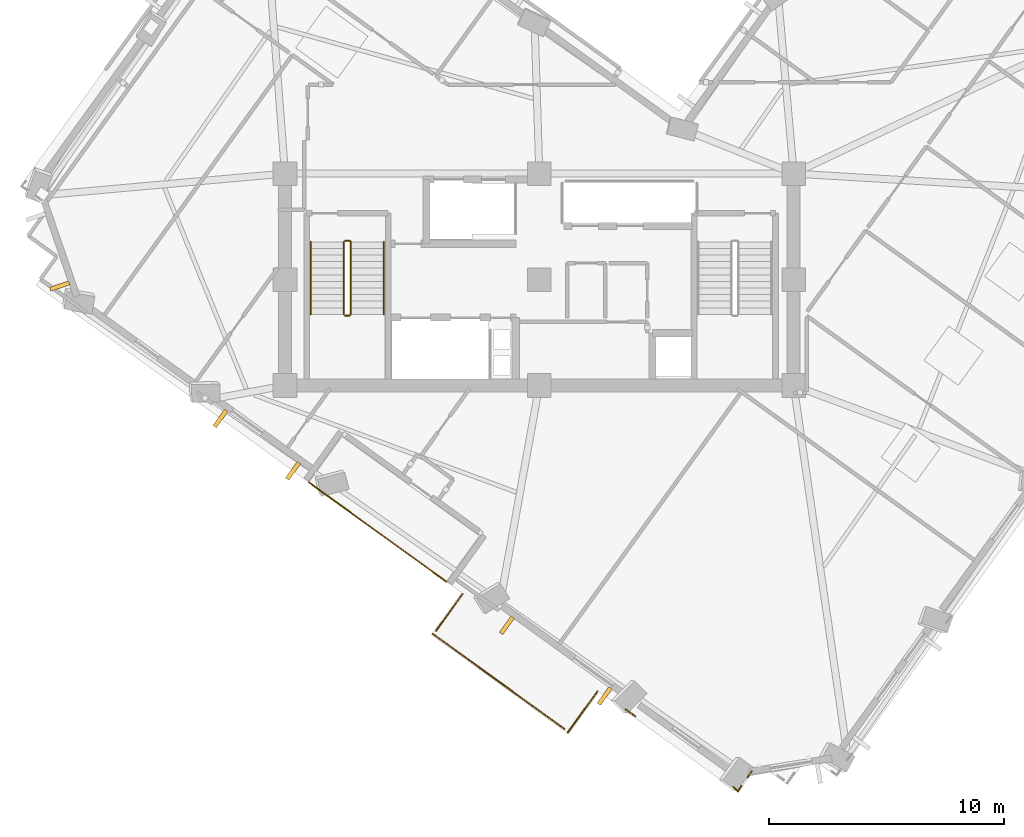
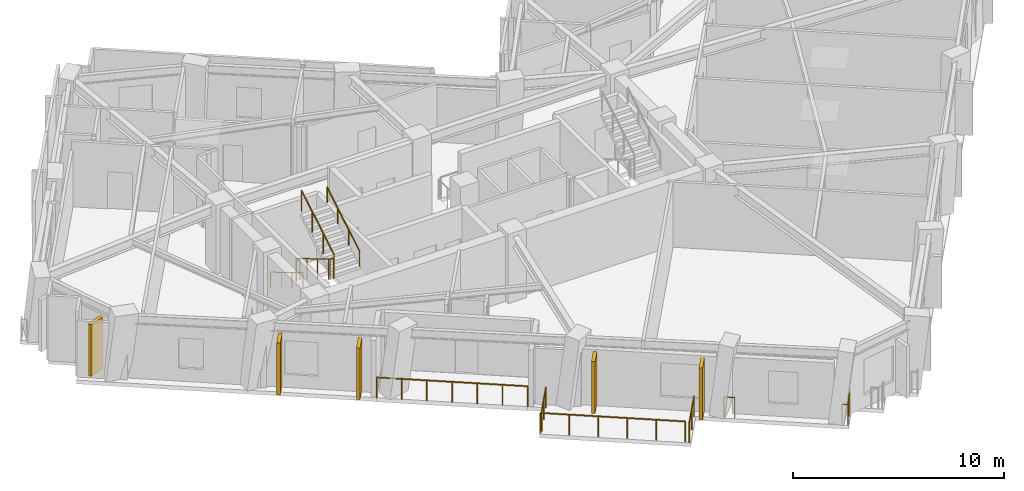
# One storey, part 9 of 13: 13 railings, 5 shading devices.
"""IFC4 building model written with IfcOpenShell, lengths in metres."""

import ifcopenshell
import ifcopenshell.guid

model = None  # the IFC model being written
_history = None  # IfcOwnerHistory: only IFC2X3 demands one
_inside = {}  # id of a spatial element -> (the spatial element, [elements in it])
_under = {}  # id of a project, library or spatial element -> (it, [spatial elements below it])
_declared = {}  # id of a project -> (the project, [libraries it declares])
_typed = {}  # id of a type object -> (the type object, [elements of that type])
_made_of = {}  # id of a material, layer set ... -> (it, [elements and type objects made of it])


def new_model(schema):
    """Start an empty IFC model of exactly this schema.

    Asked for "IFC4X3", IfcOpenShell would pick the latest addendum, in which some entities
    have other attributes; the version numbers below select the first issue.
    IFC2X3 requires an IfcOwnerHistory on every rooted entity: one is made here for all.
    """
    global model, _history
    if schema == "IFC4X3":
        model = ifcopenshell.file(schema_version=(4, 3, 0, 0))
    else:
        model = ifcopenshell.file(schema=schema)
    _inside.clear()
    _under.clear()
    _declared.clear()
    _typed.clear()
    _made_of.clear()
    _history = None
    if model.schema == "IFC2X3":
        org = make("IfcOrganization", Name="unknown")
        user = make(
            "IfcPersonAndOrganization",
            ThePerson=make("IfcPerson", FamilyName="unknown"),
            TheOrganization=org,
        )
        app = make(
            "IfcApplication",
            ApplicationDeveloper=org,
            Version="unknown",
            ApplicationFullName="unknown",
            ApplicationIdentifier="unknown",
        )
        _history = make(
            "IfcOwnerHistory",
            OwningUser=user,
            OwningApplication=app,
            ChangeAction="ADDED",
            CreationDate=0,
        )
    return model


def make(cls, **values):
    """One entity of the class cls with the attributes given. An attribute that is None is left unset."""
    return model.create_entity(
        cls, **{name: value for name, value in values.items() if value is not None}
    )


def rooted(cls, **values):
    """An entity with a GlobalId (a new one), such as an element, a storey or a relation."""
    return make(cls, GlobalId=ifcopenshell.guid.new(), OwnerHistory=_history, **values)


def si_unit(unit_type, name, prefix=None):
    """IfcSIUnit, for example si_unit("LENGTHUNIT", "METRE", prefix="MILLI")."""
    return make("IfcSIUnit", UnitType=unit_type, Prefix=prefix, Name=name)


def assignment(units):
    """IfcUnitAssignment: the units of a project."""
    return None if units is None else make("IfcUnitAssignment", Units=units)


def point(xyz):
    """IfcCartesianPoint."""
    return None if xyz is None else make("IfcCartesianPoint", Coordinates=xyz)


def direction(xyz):
    """IfcDirection."""
    return None if xyz is None else make("IfcDirection", DirectionRatios=xyz)


def frame(location, z_axis=None, x_axis=None):
    """IfcAxis2Placement3D, a coordinate frame: its origin and axes. An axis left out is left unset."""
    return make(
        "IfcAxis2Placement3D",
        Location=point(location),
        Axis=direction(z_axis),
        RefDirection=direction(x_axis),
    )


def frame_2d(location, x_axis=None):
    """IfcAxis2Placement2D, a coordinate frame in the plane: its origin and x axis."""
    return make(
        "IfcAxis2Placement2D", Location=point(location), RefDirection=direction(x_axis)
    )


def origin():
    """The frame at (0, 0, 0) with its axes left unset."""
    return frame((0.0, 0.0, 0.0))


def origin_2d():
    """The frame at (0, 0) in the plane with its x axis left unset."""
    return frame_2d((0.0, 0.0))


def place(relative_to, where):
    """IfcLocalPlacement: puts the frame where relative to a parent placement (None: the world)."""
    return make(
        "IfcLocalPlacement", PlacementRelTo=relative_to, RelativePlacement=where
    )


def context(
    kind, dimensions, precision=None, world=None, true_north=None, identifier=None
):
    """IfcGeometricRepresentationContext, for example the 3D "Model" context."""
    return make(
        "IfcGeometricRepresentationContext",
        ContextIdentifier=identifier,
        ContextType=kind,
        CoordinateSpaceDimension=dimensions,
        Precision=precision,
        WorldCoordinateSystem=world,
        TrueNorth=true_north,
    )


def subcontext(parent, identifier, kind, view, scale=None):
    """IfcGeometricRepresentationSubContext, for example "Body" below "Model"."""
    return make(
        "IfcGeometricRepresentationSubContext",
        ContextIdentifier=identifier,
        ContextType=kind,
        ParentContext=parent,
        TargetScale=scale,
        TargetView=view,
    )


def project(units=None, contexts=None):
    """IfcProject with its units and contexts."""
    return rooted(
        "IfcProject",
        Name="project",
        RepresentationContexts=contexts,
        UnitsInContext=assignment(units),
    )


def spatial(cls, under=None, at=None, **own):
    """A site, building, storey or space (cls), placed at a placement, below another one or the project."""
    s = rooted(cls, ObjectPlacement=at, **own)
    if under is not None:
        _under.setdefault(under.id(), (under, []))[1].append(s)
    return s


def profile(cls, at=None, kind="AREA", **sizes):
    """A parametric profile (cls). Its sizes go by their IFC names, for example OverallWidth=200.0."""
    return make(cls, ProfileType=kind, Position=at, **sizes)


def rectangle(**sizes):
    """IfcRectangleProfileDef."""
    return profile("IfcRectangleProfileDef", **sizes)


def circle(**sizes):
    """IfcCircleProfileDef."""
    return profile("IfcCircleProfileDef", **sizes)


def extrude(swept, where, along, depth):
    """IfcExtrudedAreaSolid: the profile swept, set in the frame where, extruded along a direction by depth."""
    return make(
        "IfcExtrudedAreaSolid",
        SweptArea=swept,
        Position=where,
        ExtrudedDirection=direction(along),
        Depth=depth,
    )


def shape(context_of_items, identifier, shape_type, items):
    """IfcShapeRepresentation: the items that make up one representation, for example the "Body"."""
    return make(
        "IfcShapeRepresentation",
        ContextOfItems=context_of_items,
        RepresentationIdentifier=identifier,
        RepresentationType=shape_type,
        Items=items,
    )


def material(Name=None, Category=None):
    """IfcMaterial."""
    return make("IfcMaterial", Name=Name, Category=Category)


def layer(
    of_material, thickness, ventilated=None, Name=None, Category=None, Priority=None
):
    """IfcMaterialLayer: one layer of a wall or slab, of a material (None: an air gap)."""
    return make(
        "IfcMaterialLayer",
        Material=of_material,
        LayerThickness=thickness,
        IsVentilated=ventilated,
        Name=Name,
        Category=Category,
        Priority=Priority,
    )


def layer_set(layers, Name=None):
    """IfcMaterialLayerSet."""
    return make("IfcMaterialLayerSet", MaterialLayers=layers, LayerSetName=Name)


def made_of(thing, what):
    """Note that an element or type object is made of a material, layer set ...; save() writes the relation."""
    if what is not None:
        _made_of.setdefault(what.id(), (what, []))[1].append(thing)
    return thing


def type_object(cls, material=None, **own):
    """A type object (cls), such as IfcWallType, which elements share."""
    return made_of(rooted(cls, **own), material)


def element(
    cls,
    number,
    at=None,
    inside=None,
    cuts=None,
    type_object=None,
    material=None,
    context=None,
    identifier="Body",
    shape_type=None,
    held_by="IfcProductDefinitionShape",
    body=None,
    shapes=None,
    **own,
):
    """One element of the class cls, such as IfcWall. Its Tag is "e" and its number.

    at: its placement. inside: the storey or other place that contains it. cuts: it is an
    opening in that element (IfcRelVoidsElement). A single representation is given by context,
    identifier, shape_type and body (its items); several are given by shapes. held_by: the class
    of the entity that holds the representations. save() writes the other relations.
    """
    e = rooted(cls, Tag="e%d" % number, ObjectPlacement=at, **own)
    if body is not None:
        shapes = [shape(context, identifier, shape_type, body)]
    if shapes is not None:
        e.Representation = make(held_by, Representations=shapes)
    if inside is not None:
        _inside.setdefault(inside.id(), (inside, []))[1].append(e)
    if cuts is not None:
        rooted(
            "IfcRelVoidsElement", RelatingBuildingElement=cuts, RelatedOpeningElement=e
        )
    if type_object is not None:
        _typed.setdefault(type_object.id(), (type_object, []))[1].append(e)
    return made_of(e, material)


def aggregate(whole, parts):
    """IfcRelAggregates: a whole, such as a stair, and the parts it consists of."""
    return rooted("IfcRelAggregates", RelatingObject=whole, RelatedObjects=parts)


def save(model, path):
    """Write the relations noted so far, then the file.

    IfcRelAggregates (storeys below a building ...), IfcRelContainedInSpatialStructure (elements
    in a storey), IfcRelDefinesByType, IfcRelAssociatesMaterial and IfcRelDeclares: one each for
    every whole, place, type object, material and project.
    """
    for whole, parts in _under.values():
        aggregate(whole, parts)
    for where, things in _inside.values():
        rooted(
            "IfcRelContainedInSpatialStructure",
            RelatedElements=things,
            RelatingStructure=where,
        )
    for kind, things in _typed.values():
        rooted("IfcRelDefinesByType", RelatedObjects=things, RelatingType=kind)
    for what, things in _made_of.values():
        rooted("IfcRelAssociatesMaterial", RelatedObjects=things, RelatingMaterial=what)
    for by, libraries in _declared.values():
        rooted("IfcRelDeclares", RelatingContext=by, RelatedDefinitions=libraries)
    model.write(path)


model = new_model("IFC4")

# Units and contexts
model_context = context("Model", 3, precision=1e-05, world=origin(), true_north=direction((0.0, 1.0)))
body_context = subcontext(model_context, "Body", "Model", "MODEL_VIEW")
ifc_project = project(units=[si_unit("LENGTHUNIT", "METRE"), si_unit("AREAUNIT", "SQUARE_METRE"), si_unit("VOLUMEUNIT", "CUBIC_METRE"), si_unit("PLANEANGLEUNIT", "RADIAN"), si_unit("MASSUNIT", "GRAM", prefix="KILO")], contexts=[model_context])

# Site, building, storey
site_placement = place(None, origin())
site = spatial("IfcSite", under=ifc_project, at=site_placement, CompositionType="ELEMENT")
building_placement = place(site_placement, origin())
building = spatial("IfcBuilding", under=site, at=building_placement, Name="Gaonmaruhae Medical Tower", CompositionType="ELEMENT")
storey_placement = place(building_placement, frame((0.0, 0.0, 255.199951171875)))
storey = spatial("IfcBuildingStorey", under=building, at=storey_placement, Name="L61", CompositionType="ELEMENT", Elevation=255.199951171875)

# Railings
ifc_material_1 = material(Name="Stainless steel 316L and laminated safety glass", Category="steel")
ifc_layer = layer(ifc_material_1, 0.080078125)
ifc_layer_set = layer_set([ifc_layer], Name="Stainless steel 316L and laminated safety glass")
railing_type_1 = type_object("IfcRailingType", Name="GD-120 Outdoor Terrace Safety Glass & Steel Balustrade", PredefinedType="BALUSTRADE", material=ifc_layer_set)
railing_1_placement = place(storey_placement, frame((15.012939453125, 3.685791015625, 0.0)))
element("IfcRailing", 1, at=railing_1_placement, inside=storey, type_object=railing_type_1, Name="L61 Terrace Safety Guard RL-SLB-L61-TER-04", PredefinedType="BALUSTRADE", context=body_context, shape_type="SweptSolid", body=[
    extrude(circle(Radius=0.02392578125, at=origin_2d()), frame((0.0, 0.0, 1.17578125), z_axis=(0.810550452524, -0.585668817604, 0.0), x_axis=(0.585668817604, 0.810550452524, 0.0)), (0.0, 0.0, 1.0), 7.199951171875),
    extrude(circle(Radius=0.02099609375, at=origin_2d()), origin(), (0.0, 0.0, 1.0), 1.15185546875),
    extrude(circle(Radius=0.02099609375, at=origin_2d()), frame((0.97265625, -0.702880859375, 0.0)), (0.0, 0.0, 1.0), 1.15185546875),
    extrude(circle(Radius=0.02099609375, at=origin_2d()), frame((1.9453125, -1.405517578125, 0.0)), (0.0, 0.0, 1.0), 1.15185546875),
    extrude(circle(Radius=0.02099609375, at=origin_2d()), frame((2.91796875, -2.1083984375, 0.0)), (0.0, 0.0, 1.0), 1.15185546875),
    extrude(circle(Radius=0.02099609375, at=origin_2d()), frame((3.890625, -2.811279296875, 0.0)), (0.0, 0.0, 1.0), 1.15185546875),
    extrude(circle(Radius=0.02099609375, at=origin_2d()), frame((4.86328125, -3.513916015625, 0.0)), (0.0, 0.0, 1.0), 1.15185546875),
    extrude(circle(Radius=0.02099609375, at=origin_2d()), frame((5.8359375, -4.216796875, 0.0)), (0.0, 0.0, 1.0), 1.15185546875),
])
railing_2_placement = place(storey_placement, frame((33.826171875, -8.5751953125, 0.0)))
element("IfcRailing", 2, at=railing_2_placement, inside=storey, type_object=railing_type_1, Name="L61 Perimeter Slab Edge Safety Balustrade 12", PredefinedType="BALUSTRADE", context=body_context, shape_type="SweptSolid", body=[
    extrude(circle(Radius=0.02392578125, at=origin_2d()), frame((0.0, 0.0, 1.17578125), z_axis=(-0.585681465352, -0.810541313656, 0.0), x_axis=(0.810541313656, -0.585681465352, 0.0)), (0.0, 0.0, 1.0), 0.326904296875),
    extrude(circle(Radius=0.02099609375, at=origin_2d()), origin(), (0.0, 0.0, 1.0), 1.15185546875),
    extrude(circle(Radius=0.02099609375, at=origin_2d()), frame((-0.19140625, -0.264892578125, 0.0)), (0.0, 0.0, 1.0), 1.15185546875),
])
railing_3_placement = place(storey_placement, frame((28.88232421875, -6.249267578125, 0.0)))
element("IfcRailing", 3, at=railing_3_placement, inside=storey, type_object=railing_type_1, Name="L61 Perimeter Slab Edge Safety Balustrade 13", PredefinedType="BALUSTRADE", context=body_context, shape_type="SweptSolid", body=[
    extrude(circle(Radius=0.02392578125, at=origin_2d()), frame((0.0, 0.0, 1.17578125), z_axis=(-0.810492041618, 0.585749648291, 0.0), x_axis=(-0.585749648291, -0.810492041618, 0.0)), (0.0, 0.0, 1.0), 0.51611328125),
    extrude(circle(Radius=0.02099609375, at=origin_2d()), origin(), (0.0, 0.0, 1.0), 1.15185546875),
    extrude(circle(Radius=0.02099609375, at=origin_2d()), frame((-0.418212890625, 0.30224609375, 0.0)), (0.0, 0.0, 1.0), 1.15185546875),
])
railing_4_placement = place(storey_placement, frame((27.264892578125, -5.19140625, 0.0)))
element("IfcRailing", 4, at=railing_4_placement, inside=storey, type_object=railing_type_1, Name="L61 Perimeter Slab Edge Safety Balustrade 14", PredefinedType="BALUSTRADE", context=body_context, shape_type="SweptSolid", body=[
    extrude(circle(Radius=0.02392578125, at=origin_2d()), frame((0.0, 0.0, 1.17578125), z_axis=(-0.585655597386, -0.810560004719, 0.0), x_axis=(0.810560004719, -0.585655597386, 0.0)), (0.0, 0.0, 1.0), 2.16015625),
    extrude(circle(Radius=0.02099609375, at=origin_2d()), origin(), (0.0, 0.0, 1.0), 1.15185546875),
    extrude(circle(Radius=0.02099609375, at=origin_2d()), frame((-0.632568359375, -0.87548828125, 0.0)), (0.0, 0.0, 1.0), 1.15185546875),
    extrude(circle(Radius=0.02099609375, at=origin_2d()), frame((-1.26513671875, -1.7509765625, 0.0)), (0.0, 0.0, 1.0), 1.15185546875),
])
railing_5_placement = place(storey_placement, frame((25.865966796875, -6.783935546875, 0.0)))
element("IfcRailing", 5, at=railing_5_placement, inside=storey, type_object=railing_type_1, Name="L61 Perimeter Slab Edge Safety Balustrade 15", PredefinedType="BALUSTRADE", context=body_context, shape_type="SweptSolid", body=[
    extrude(circle(Radius=0.02392578125, at=origin_2d()), frame((0.0, 0.0, 1.17578125), z_axis=(-0.810555275202, 0.585662143084, 0.0), x_axis=(-0.585662143084, -0.810555275202, 0.0)), (0.0, 0.0, 1.0), 6.90869140625),
    extrude(circle(Radius=0.02099609375, at=origin_2d()), origin(), (0.0, 0.0, 1.0), 1.15185546875),
    extrude(circle(Radius=0.02099609375, at=origin_2d()), frame((-1.119873046875, 0.809326171875, 0.0)), (0.0, 0.0, 1.0), 1.15185546875),
    extrude(circle(Radius=0.02099609375, at=origin_2d()), frame((-2.239990234375, 1.618408203125, 0.0)), (0.0, 0.0, 1.0), 1.15185546875),
    extrude(circle(Radius=0.02099609375, at=origin_2d()), frame((-3.35986328125, 2.427734375, 0.0)), (0.0, 0.0, 1.0), 1.15185546875),
    extrude(circle(Radius=0.02099609375, at=origin_2d()), frame((-4.47998046875, 3.23681640625, 0.0)), (0.0, 0.0, 1.0), 1.15185546875),
    extrude(circle(Radius=0.02099609375, at=origin_2d()), frame((-5.599853515625, 4.046142578125, 0.0)), (0.0, 0.0, 1.0), 1.15185546875),
])
railing_6_placement = place(storey_placement, frame((20.4169921875, -2.6142578125, 0.0)))
element("IfcRailing", 6, at=railing_6_placement, inside=storey, type_object=railing_type_1, Name="L61 Perimeter Slab Edge Safety Balustrade 16", PredefinedType="BALUSTRADE", context=body_context, shape_type="SweptSolid", body=[
    extrude(circle(Radius=0.02392578125, at=origin_2d()), frame((0.0, 0.0, 1.17578125), z_axis=(0.585592604876, 0.810605515103, 0.0), x_axis=(-0.810605515103, 0.585592604876, 0.0)), (0.0, 0.0, 1.0), 1.921630859375),
    extrude(circle(Radius=0.02099609375, at=origin_2d()), origin(), (0.0, 0.0, 1.0), 1.15185546875),
    extrude(circle(Radius=0.02099609375, at=origin_2d()), frame((0.5625, 0.77880859375, 0.0)), (0.0, 0.0, 1.0), 1.15185546875),
    extrude(circle(Radius=0.02099609375, at=origin_2d()), frame((1.125244140625, 1.5576171875, 0.0)), (0.0, 0.0, 1.0), 1.15185546875),
])
railing_7_placement = place(storey_placement, frame((33.381103515625, -9.19140625, 0.0)))
element("IfcRailing", 7, at=railing_7_placement, inside=storey, type_object=railing_type_1, Name="L61 Perimeter Corner Safety Balustrade 19", PredefinedType="BALUSTRADE", context=body_context, shape_type="SweptSolid", body=[
    extrude(circle(Radius=0.02392578125, at=origin_2d()), frame((0.0, 0.0, 1.17578125), z_axis=(-0.482897533421, -0.875676865183, 0.0), x_axis=(0.875676865183, -0.482897533421, 0.0)), (0.0, 0.0, 1.0), 0.287109375),
    extrude(circle(Radius=0.02392578125, at=origin_2d()), frame((-0.138671875, -0.25146484375, 1.17578125), z_axis=(-0.732975177552, 0.680255385199, 0.0), x_axis=(-0.680255385199, -0.732975177552, 0.0)), (0.0, 0.0, 1.0), 0.287109375),
    extrude(circle(Radius=0.02099609375, at=origin_2d()), origin(), (0.0, 0.0, 1.0), 1.15185546875),
    extrude(circle(Radius=0.02099609375, at=origin_2d()), frame((-0.138671875, -0.25146484375, 0.0)), (0.0, 0.0, 1.0), 1.15185546875),
    extrude(circle(Radius=0.02099609375, at=origin_2d()), frame((-0.34912109375, -0.05615234375, 0.0)), (0.0, 0.0, 1.0), 1.15185546875),
])
ifc_material_2 = material(Name="Stainless steel 304 handrail", Category="steel")
railing_type_2 = type_object("IfcRailingType", Name="HR-092 Continuous Stainless Steel Stair Handrail", PredefinedType="HANDRAIL", material=ifc_material_2)
railing_8_placement = place(storey_placement, frame((15.10009765625, 13.89990234375, 0.166748046875)))
element("IfcRailing", 8, at=railing_8_placement, inside=storey, type_object=railing_type_2, Name="L61 ST-01 stair handrail 1", PredefinedType="HANDRAIL", context=body_context, shape_type="SweptSolid", body=[
    extrude(circle(Radius=0.02392578125, at=origin_2d()), frame((0.0, 0.0, 0.8759765625), z_axis=(0.0, -0.859290745958, 0.51148745235), x_axis=(1.0, 0.0, 0.0)), (0.0, 0.0, 1.0), 3.584228515625),
    extrude(circle(Radius=0.02099609375, at=origin_2d()), origin(), (0.0, 0.0, 1.0), 0.851806640625),
    extrude(circle(Radius=0.02099609375, at=origin_2d()), frame((0.0, -1.026611328125, 0.611083984375)), (0.0, 0.0, 1.0), 0.851806640625),
    extrude(circle(Radius=0.02099609375, at=origin_2d()), frame((0.0, -2.05322265625, 1.22216796875)), (0.0, 0.0, 1.0), 0.851806640625),
    extrude(circle(Radius=0.02099609375, at=origin_2d()), frame((0.0, -3.079833984375, 1.833251953125)), (0.0, 0.0, 1.0), 0.851806640625),
])
railing_9_placement = place(storey_placement, frame((18.199951171875, 10.820068359375, 2.166748046875)))
element("IfcRailing", 9, at=railing_9_placement, inside=storey, type_object=railing_type_2, Name="L61 ST-01 stair handrail 2", PredefinedType="HANDRAIL", context=body_context, shape_type="SweptSolid", body=[
    extrude(circle(Radius=0.02392578125, at=origin_2d()), frame((0.0, 0.0, 0.8759765625), z_axis=(0.0, 0.859290745958, 0.51148745235), x_axis=(-1.0, 0.0, 0.0)), (0.0, 0.0, 1.0), 3.584228515625),
    extrude(circle(Radius=0.02099609375, at=origin_2d()), origin(), (0.0, 0.0, 1.0), 0.851806640625),
    extrude(circle(Radius=0.02099609375, at=origin_2d()), frame((0.0, 1.026611328125, 0.611083984375)), (0.0, 0.0, 1.0), 0.851806640625),
    extrude(circle(Radius=0.02099609375, at=origin_2d()), frame((0.0, 2.05322265625, 1.22216796875)), (0.0, 0.0, 1.0), 0.851806640625),
    extrude(circle(Radius=0.02099609375, at=origin_2d()), frame((0.0, 3.079833984375, 1.833251953125)), (0.0, 0.0, 1.0), 0.851806640625),
])

# Shading devices
ifc_material_3 = material(Name="Pigmented coral precast concrete C45/55", Category="concrete")
shading_device_type = type_object("IfcShadingDeviceType", Name="SD-FIN1 Tower Vertical Coral Precast Shading Fin", PredefinedType="USERDEFINED", material=ifc_material_3)
for number, where, z_axis, x_axis, name in (
    (10, (4.431884765625, 12.02099609375, 0.132568359375), (0.0, 0.0, 1.0), (-0.324445761396, 0.945904301667, 0.0), "L61 Vertical Coral Precast Shading Fin N03"),
    (11, (14.343017578125, 4.17578125, 0.12255859375), (0.0, 0.0, 1.0), (-0.810553038353, 0.585665238866, 0.0), "L61 Vertical Coral Precast Shading Fin W02"),
    (12, (11.2626953125, 6.40185546875, 0.12255859375), (0.0, 0.0, 1.0), (-0.810553038353, 0.585665238866, 0.0), "L61 Vertical Coral Precast Shading Fin W02B"),
    (13, (27.576171875, -5.385498046875, 0.12255859375), (0.0, 0.0, 1.0), (-0.810553038353, 0.585665238866, 0.0), "L61 Vertical Coral Precast Shading Fin W04"),
    (14, (23.422119140625, -2.3837890625, 0.12255859375), (0.0, 0.0, 1.0), (-0.810553038353, 0.585665238866, 0.0), "L61 Vertical Coral Precast Shading Fin W04B"),
):
    element("IfcShadingDevice", number, at=place(storey_placement, frame(where, z_axis=z_axis, x_axis=x_axis)), inside=storey, type_object=shading_device_type, Name=name, ObjectType="FIN", PredefinedType="USERDEFINED", context=body_context, shape_type="SweptSolid", body=[
        extrude(rectangle(XDim=0.179931640625, YDim=0.85009765625, at=origin_2d()), origin(), (0.0, 0.0, 1.0), 3.0),
    ])

# Railings
ifc_material_4 = material(Name="Stainless steel 304 balustrade", Category="steel")
railing_type_3 = type_object("IfcRailingType", Name="SG-112 Stair Well & Ramp Void Safety Balustrade", PredefinedType="BALUSTRADE", material=ifc_material_4)
railing_10_placement = place(storey_placement, frame((16.5, 13.89990234375, 0.166748046875)))
element("IfcRailing", 15, at=railing_10_placement, inside=storey, type_object=railing_type_3, Name="L61 ST-01 stair guard 1", PredefinedType="BALUSTRADE", context=body_context, shape_type="SweptSolid", body=[
    extrude(circle(Radius=0.02392578125, at=origin_2d()), frame((0.0, 0.0, 1.17578125), z_axis=(0.0, -0.859290745958, 0.51148745235), x_axis=(1.0, 0.0, 0.0)), (0.0, 0.0, 1.0), 3.584228515625),
    extrude(circle(Radius=0.02099609375, at=origin_2d()), origin(), (0.0, 0.0, 1.0), 1.15185546875),
    extrude(circle(Radius=0.02099609375, at=origin_2d()), frame((0.0, -1.026611328125, 0.611083984375)), (0.0, 0.0, 1.0), 1.15185546875),
    extrude(circle(Radius=0.02099609375, at=origin_2d()), frame((0.0, -2.05322265625, 1.22216796875)), (0.0, 0.0, 1.0), 1.15185546875),
    extrude(circle(Radius=0.02099609375, at=origin_2d()), frame((0.0, -3.079833984375, 1.833251953125)), (0.0, 0.0, 1.0), 1.15185546875),
])
railing_11_placement = place(storey_placement, frame((16.550048828125, 10.77001953125, 2.0)))
element("IfcRailing", 16, at=railing_11_placement, inside=storey, type_object=railing_type_3, Name="L61 ST-01 stair guard 2", PredefinedType="BALUSTRADE", context=body_context, shape_type="SweptSolid", body=[
    extrude(circle(Radius=0.02392578125, at=origin_2d()), frame((0.0, 0.0, 1.17578125), z_axis=(1.0, 0.0, 0.0), x_axis=(0.0, 1.0, 0.0)), (0.0, 0.0, 1.0), 0.199951171875),
    extrude(circle(Radius=0.02099609375, at=origin_2d()), origin(), (0.0, 0.0, 1.0), 1.15185546875),
    extrude(circle(Radius=0.02099609375, at=origin_2d()), frame((0.199951171875, 0.0, 0.0)), (0.0, 0.0, 1.0), 1.15185546875),
])
railing_12_placement = place(storey_placement, frame((16.800048828125, 10.820068359375, 2.166748046875)))
element("IfcRailing", 17, at=railing_12_placement, inside=storey, type_object=railing_type_3, Name="L61 ST-01 stair guard 3", PredefinedType="BALUSTRADE", context=body_context, shape_type="SweptSolid", body=[
    extrude(circle(Radius=0.02392578125, at=origin_2d()), frame((0.0, 0.0, 1.17578125), z_axis=(0.0, 0.859290745958, 0.51148745235), x_axis=(-1.0, 0.0, 0.0)), (0.0, 0.0, 1.0), 3.584228515625),
    extrude(circle(Radius=0.02099609375, at=origin_2d()), origin(), (0.0, 0.0, 1.0), 1.15185546875),
    extrude(circle(Radius=0.02099609375, at=origin_2d()), frame((0.0, 1.026611328125, 0.611083984375)), (0.0, 0.0, 1.0), 1.15185546875),
    extrude(circle(Radius=0.02099609375, at=origin_2d()), frame((0.0, 2.05322265625, 1.22216796875)), (0.0, 0.0, 1.0), 1.15185546875),
    extrude(circle(Radius=0.02099609375, at=origin_2d()), frame((0.0, 3.079833984375, 1.833251953125)), (0.0, 0.0, 1.0), 1.15185546875),
])
railing_13_placement = place(storey_placement, frame((16.550048828125, 13.949951171875, 0.0)))
element("IfcRailing", 18, at=railing_13_placement, inside=storey, type_object=railing_type_3, Name="L61 ST-01 stair guard 4", PredefinedType="BALUSTRADE", context=body_context, shape_type="SweptSolid", body=[
    extrude(circle(Radius=0.02392578125, at=origin_2d()), frame((0.0, 0.0, 1.17578125), z_axis=(1.0, 0.0, 0.0), x_axis=(0.0, 1.0, 0.0)), (0.0, 0.0, 1.0), 0.199951171875),
    extrude(circle(Radius=0.02099609375, at=origin_2d()), origin(), (0.0, 0.0, 1.0), 1.15185546875),
    extrude(circle(Radius=0.02099609375, at=origin_2d()), frame((0.199951171875, 0.0, 0.0)), (0.0, 0.0, 1.0), 1.15185546875),
])

save(model, "model.ifc")
